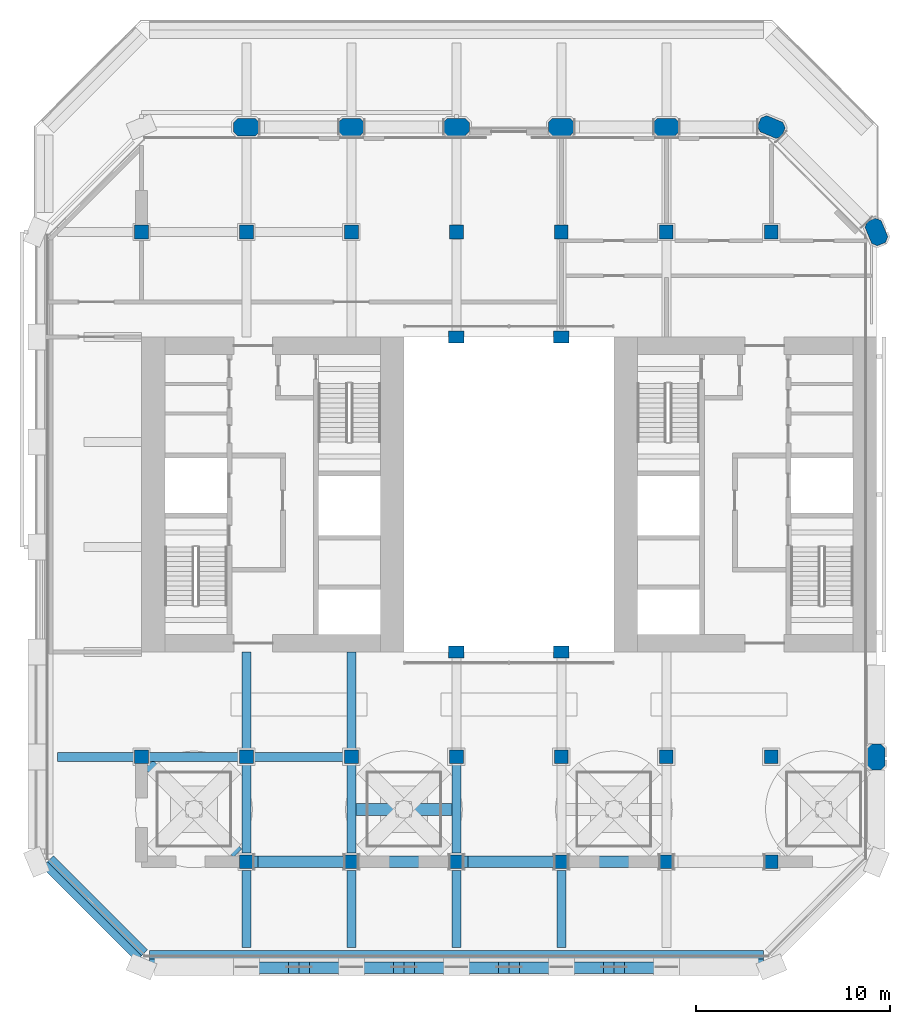
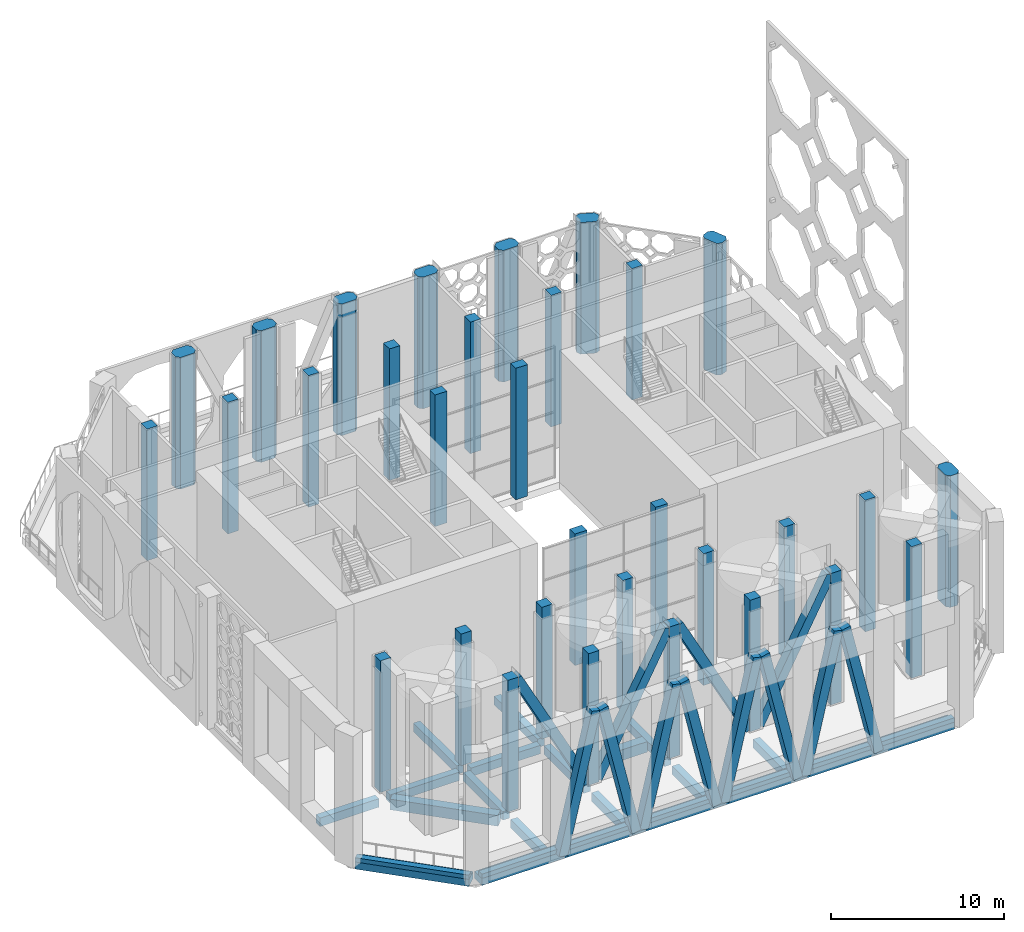
# One storey, part 1 of 28: 32 columns, 18 beams, 12 members.
"""IFC4 building model written with IfcOpenShell, lengths in metres."""

from ifc_helpers import new_model, si_unit, direction, frame, origin, origin_2d, place, context, subcontext, project, spatial, polyline, rectangle, outline, extrude, material, material_profile, profile_set, type_object, element, save


model = new_model("IFC4")

# Units and contexts
model_context = context("Model", 3, precision=1e-05, world=origin(), true_north=direction((0.0, 1.0)))
body_context = subcontext(model_context, "Body", "Model", "MODEL_VIEW")
ifc_project = project(units=[si_unit("LENGTHUNIT", "METRE"), si_unit("AREAUNIT", "SQUARE_METRE"), si_unit("VOLUMEUNIT", "CUBIC_METRE"), si_unit("PLANEANGLEUNIT", "RADIAN"), si_unit("MASSUNIT", "GRAM", prefix="KILO")], contexts=[model_context])

# Site, building, storey
site_placement = place(None, origin())
site = spatial("IfcSite", under=ifc_project, at=site_placement, CompositionType="ELEMENT")
building_placement = place(site_placement, origin())
building = spatial("IfcBuilding", under=site, at=building_placement, Name="Tabaq Tower and Sports Hall", CompositionType="ELEMENT")
storey_placement = place(building_placement, frame((0.0, 0.0, 233.5)))
storey = spatial("IfcBuildingStorey", under=building, at=storey_placement, Name="L59", CompositionType="ELEMENT", Elevation=233.5)

# Columns
ifc_material_1 = material(Name="Concrete C40/50", Category="concrete")
ifc_material_profile_1 = material_profile(ifc_material_1, rectangle(XDim=0.800048828125, YDim=0.60009765625, at=origin_2d()), Name="ATRIUM COLUMN 800x600")
ifc_profile_set_1 = profile_set([ifc_material_profile_1], Name="Concrete C40/50")
column_type_1 = type_object("IfcColumnType", Name="RC COLUMN ATRIUM COLUMN 800x600 C40/50", PredefinedType="COLUMN", material=ifc_profile_set_1)
for number, where, z_axis, x_axis, name in (
    (1, (21.60009765625, 16.199951171875, 0.0), (0.0, 0.0, 1.0), (1.0, 0.0, 0.0), "Atrium Column 5/D L59"),
    (2, (27.0, 16.199951171875, 0.0), (0.0, 0.0, 1.0), (1.0, 0.0, 0.0), "Atrium Column 6/D L59"),
    (3, (21.60009765625, 32.39990234375, 0.0), (0.0, 0.0, 1.0), (1.0, 0.0, 0.0), "Atrium Column 5/G L59"),
    (4, (27.0, 32.39990234375, 0.0), (0.0, 0.0, 1.0), (1.0, 0.0, 0.0), "Atrium Column 6/G L59"),
):
    element("IfcColumn", number, at=place(storey_placement, frame(where, z_axis=z_axis, x_axis=x_axis)), inside=storey, type_object=column_type_1, Name=name, PredefinedType="COLUMN", context=body_context, shape_type="SweptSolid", body=[
        extrude(rectangle(XDim=0.800048828125, YDim=0.60009765625, at=origin_2d()), origin(), (0.0, 0.0, 1.0), 9.300048828125),
    ])
ifc_material_2 = material(Name="Concrete C40/50", Category="concrete")
ifc_material_profile_2 = material_profile(ifc_material_2, rectangle(XDim=0.699951171875, YDim=0.699951171875, at=origin_2d()), Name="COLUMN 700x700")
ifc_profile_set_2 = profile_set([ifc_material_profile_2], Name="Concrete C40/50")
column_type_2 = type_object("IfcColumnType", Name="RC COLUMN COLUMN 700x700 C40/50", PredefinedType="COLUMN", material=ifc_profile_set_2)
for number, where, z_axis, x_axis, name in (
    (5, (10.800048828125, 5.39990234375, 0.0), (0.0, 0.0, 1.0), (1.0, 0.0, 0.0), "Column 3/B L59"),
    (6, (16.199951171875, 5.39990234375, 0.0), (0.0, 0.0, 1.0), (1.0, 0.0, 0.0), "Column 4/B L59"),
    (7, (21.60009765625, 5.39990234375, 0.0), (0.0, 0.0, 1.0), (1.0, 0.0, 0.0), "Column 5/B L59"),
    (8, (27.0, 5.39990234375, 0.0), (0.0, 0.0, 1.0), (1.0, 0.0, 0.0), "Column 6/B L59"),
    (9, (32.39990234375, 5.39990234375, 0.0), (0.0, 0.0, 1.0), (1.0, 0.0, 0.0), "Column 7/B L59"),
    (10, (37.800048828125, 5.39990234375, 0.0), (0.0, 0.0, 1.0), (1.0, 0.0, 0.0), "Column 8/B L59"),
    (11, (5.39990234375, 10.800048828125, 0.0), (0.0, 0.0, 1.0), (1.0, 0.0, 0.0), "Column 2/C L59"),
    (12, (10.800048828125, 10.800048828125, 0.0), (0.0, 0.0, 1.0), (1.0, 0.0, 0.0), "Column 3/C L59"),
    (13, (16.199951171875, 10.800048828125, 0.0), (0.0, 0.0, 1.0), (1.0, 0.0, 0.0), "Column 4/C L59"),
    (14, (21.60009765625, 10.800048828125, 0.0), (0.0, 0.0, 1.0), (1.0, 0.0, 0.0), "Column 5/C L59"),
    (15, (27.0, 10.800048828125, 0.0), (0.0, 0.0, 1.0), (1.0, 0.0, 0.0), "Column 6/C L59"),
    (16, (32.39990234375, 10.800048828125, 0.0), (0.0, 0.0, 1.0), (1.0, 0.0, 0.0), "Column 7/C L59"),
    (17, (37.800048828125, 10.800048828125, 0.0), (0.0, 0.0, 1.0), (1.0, 0.0, 0.0), "Column 8/C L59"),
    (18, (5.39990234375, 37.800048828125, 0.0), (0.0, 0.0, 1.0), (1.0, 0.0, 0.0), "Column 2/H L59"),
    (19, (10.800048828125, 37.800048828125, 0.0), (0.0, 0.0, 1.0), (1.0, 0.0, 0.0), "Column 3/H L59"),
    (20, (16.199951171875, 37.800048828125, 0.0), (0.0, 0.0, 1.0), (1.0, 0.0, 0.0), "Column 4/H L59"),
    (21, (21.60009765625, 37.800048828125, 0.0), (0.0, 0.0, 1.0), (1.0, 0.0, 0.0), "Column 5/H L59"),
    (22, (27.0, 37.800048828125, 0.0), (0.0, 0.0, 1.0), (1.0, 0.0, 0.0), "Column 6/H L59"),
    (23, (32.39990234375, 37.800048828125, 0.0), (0.0, 0.0, 1.0), (1.0, 0.0, 0.0), "Column 7/H L59"),
    (24, (37.800048828125, 37.800048828125, 0.0), (0.0, 0.0, 1.0), (1.0, 0.0, 0.0), "Column 8/H L59"),
):
    element("IfcColumn", number, at=place(storey_placement, frame(where, z_axis=z_axis, x_axis=x_axis)), inside=storey, type_object=column_type_2, Name=name, PredefinedType="COLUMN", context=body_context, shape_type="SweptSolid", body=[
        extrude(rectangle(XDim=0.699951171875, YDim=0.699951171875, at=origin_2d()), origin(), (0.0, 0.0, 1.0), 9.300048828125),
    ])
ifc_material_3 = material(Name="Concrete C40/50", Category="concrete")
ifc_material_profile_3 = material_profile(ifc_material_3, outline(polyline([(-0.449951171875, -0.449951171875), (0.449951171875, -0.449951171875), (0.675048828125, -0.22509765625), (0.675048828125, 0.22509765625), (0.449951171875, 0.449951171875), (-0.449951171875, 0.449951171875), (-0.675048828125, 0.22509765625), (-0.675048828125, -0.22509765625), (-0.449951171875, -0.449951171875)])), Name="PIER 1350x900")
ifc_profile_set_3 = profile_set([ifc_material_profile_3], Name="Concrete C40/50")
column_type_3 = type_object("IfcColumnType", Name="RC COLUMN PIER 1350x900 C40/50", PredefinedType="COLUMN", material=ifc_profile_set_3)
for number, where, z_axis, x_axis, name in (
    (25, (43.199951171875, 10.800048828125, 0.0), (0.0, 0.0, 1.0), (0.0, 1.0, 0.0), "Pier 9/C L59"),
    (26, (43.199951171875, 37.800048828125, 0.0), (0.0, 0.0, 1.0), (-0.382683432365, 0.923879532511, 0.0), "Pier 9/H L59"),
    (27, (10.800048828125, 43.199951171875, 0.0), (0.0, 0.0, 1.0), (1.0, 0.0, 0.0), "Pier 3/I L59"),
    (28, (16.199951171875, 43.199951171875, 0.0), (0.0, 0.0, 1.0), (1.0, 0.0, 0.0), "Pier 4/I L59"),
    (29, (21.60009765625, 43.199951171875, 0.0), (0.0, 0.0, 1.0), (1.0, 0.0, 0.0), "Pier 5/I L59"),
    (30, (27.0, 43.199951171875, 0.0), (0.0, 0.0, 1.0), (1.0, 0.0, 0.0), "Pier 6/I L59"),
    (31, (32.39990234375, 43.199951171875, 0.0), (0.0, 0.0, 1.0), (1.0, 0.0, 0.0), "Pier 7/I L59"),
    (32, (37.800048828125, 43.199951171875, 0.0), (0.0, 0.0, 1.0), (-0.923879532511, 0.382683432365, 0.0), "Pier 8/I L59"),
):
    element("IfcColumn", number, at=place(storey_placement, frame(where, z_axis=z_axis, x_axis=x_axis)), inside=storey, type_object=column_type_3, Name=name, PredefinedType="COLUMN", context=body_context, shape_type="SweptSolid", body=[
        extrude(outline(polyline([(-0.449951171875, -0.449951171875), (0.449951171875, -0.449951171875), (0.675048828125, -0.22509765625), (0.675048828125, 0.22509765625), (0.449951171875, 0.449951171875), (-0.449951171875, 0.449951171875), (-0.675048828125, 0.22509765625), (-0.675048828125, -0.22509765625), (-0.449951171875, -0.449951171875)])), origin(), (0.0, 0.0, 1.0), 9.300048828125),
    ])

# Beams
ifc_material_4 = material(Name="Concrete C40/50", Category="concrete")
ifc_material_profile_4 = material_profile(ifc_material_4, rectangle(XDim=0.449951171875, YDim=0.60009765625, at=origin_2d()), Name="CB 450x600")
ifc_profile_set_4 = profile_set([ifc_material_profile_4], Name="Concrete C40/50")
beam_type_1 = type_object("IfcBeamType", Name="PT CANTILEVER BEAM CB 450x600 C40/50", PredefinedType="BEAM", material=ifc_profile_set_4)
beam_1_placement = place(storey_placement, frame((1.074951171875, 10.800048828125, -0.800048828125), z_axis=(1.0, 0.0, 0.0), x_axis=(0.0, 1.0, 0.0)))
element("IfcBeam", 33, at=beam_1_placement, inside=storey, type_object=beam_type_1, Name="Cantilever Beam L59 W2 span 1", PredefinedType="BEAM", context=body_context, shape_type="SweptSolid", body=[
    extrude(rectangle(XDim=0.449951171875, YDim=0.60009765625, at=origin_2d()), origin(), (0.0, 0.0, 1.0), 3.949951171875),
])
beam_2_placement = place(storey_placement, frame((5.77490234375, 10.800048828125, -0.800048828125), z_axis=(1.0, 0.0, 0.0), x_axis=(0.0, 1.0, 0.0)))
element("IfcBeam", 34, at=beam_2_placement, inside=storey, type_object=beam_type_1, Name="Cantilever Beam L59 W2 span 2", PredefinedType="BEAM", context=body_context, shape_type="SweptSolid", body=[
    extrude(rectangle(XDim=0.449951171875, YDim=0.60009765625, at=origin_2d()), origin(), (0.0, 0.0, 1.0), 4.650146484375),
])
beam_3_placement = place(storey_placement, frame((11.175048828125, 10.800048828125, -0.800048828125), z_axis=(1.0, 0.0, 0.0), x_axis=(0.0, 1.0, 0.0)))
element("IfcBeam", 35, at=beam_3_placement, inside=storey, type_object=beam_type_1, Name="Cantilever Beam L59 W2 span 3", PredefinedType="BEAM", context=body_context, shape_type="SweptSolid", body=[
    extrude(rectangle(XDim=0.449951171875, YDim=0.60009765625, at=origin_2d()), origin(), (0.0, 0.0, 1.0), 4.64990234375),
])
beam_4_placement = place(storey_placement, frame((10.800048828125, 1.0, -0.800048828125), z_axis=(0.0, 1.0, 0.0), x_axis=(-1.0, 0.0, 0.0)))
element("IfcBeam", 36, at=beam_4_placement, inside=storey, type_object=beam_type_1, Name="Cantilever Beam L59 S2 span 1", PredefinedType="BEAM", context=body_context, shape_type="SweptSolid", body=[
    extrude(rectangle(XDim=0.449951171875, YDim=0.60009765625, at=origin_2d()), origin(), (0.0, 0.0, 1.0), 3.949951171875),
])
beam_5_placement = place(storey_placement, frame((10.800048828125, 5.85009765625, -0.800048828125), z_axis=(0.0, 1.0, 0.0), x_axis=(-1.0, 0.0, 0.0)))
element("IfcBeam", 37, at=beam_5_placement, inside=storey, type_object=beam_type_1, Name="Cantilever Beam L59 S2 span 2", PredefinedType="BEAM", context=body_context, shape_type="SweptSolid", body=[
    extrude(rectangle(XDim=0.449951171875, YDim=0.60009765625, at=origin_2d()), origin(), (0.0, 0.0, 1.0), 4.574951171875),
])
beam_6_placement = place(storey_placement, frame((10.800048828125, 11.175048828125, -0.800048828125), z_axis=(0.0, 1.0, 0.0), x_axis=(-1.0, 0.0, 0.0)))
element("IfcBeam", 38, at=beam_6_placement, inside=storey, type_object=beam_type_1, Name="Cantilever Beam L59 S2 span 3", PredefinedType="BEAM", context=body_context, shape_type="SweptSolid", body=[
    extrude(rectangle(XDim=0.449951171875, YDim=0.60009765625, at=origin_2d()), origin(), (0.0, 0.0, 1.0), 5.02490234375),
])
beam_7_placement = place(storey_placement, frame((16.199951171875, 1.0, -0.800048828125), z_axis=(0.0, 1.0, 0.0), x_axis=(-1.0, 0.0, 0.0)))
element("IfcBeam", 39, at=beam_7_placement, inside=storey, type_object=beam_type_1, Name="Cantilever Beam L59 S3 span 1", PredefinedType="BEAM", context=body_context, shape_type="SweptSolid", body=[
    extrude(rectangle(XDim=0.449951171875, YDim=0.60009765625, at=origin_2d()), origin(), (0.0, 0.0, 1.0), 3.949951171875),
])
beam_8_placement = place(storey_placement, frame((16.199951171875, 5.85009765625, -0.800048828125), z_axis=(0.0, 1.0, 0.0), x_axis=(-1.0, 0.0, 0.0)))
element("IfcBeam", 40, at=beam_8_placement, inside=storey, type_object=beam_type_1, Name="Cantilever Beam L59 S3 span 2", PredefinedType="BEAM", context=body_context, shape_type="SweptSolid", body=[
    extrude(rectangle(XDim=0.449951171875, YDim=0.60009765625, at=origin_2d()), origin(), (0.0, 0.0, 1.0), 4.574951171875),
])
beam_9_placement = place(storey_placement, frame((16.199951171875, 11.175048828125, -0.800048828125), z_axis=(0.0, 1.0, 0.0), x_axis=(-1.0, 0.0, 0.0)))
element("IfcBeam", 41, at=beam_9_placement, inside=storey, type_object=beam_type_1, Name="Cantilever Beam L59 S3 span 3", PredefinedType="BEAM", context=body_context, shape_type="SweptSolid", body=[
    extrude(rectangle(XDim=0.449951171875, YDim=0.60009765625, at=origin_2d()), origin(), (0.0, 0.0, 1.0), 5.02490234375),
])
beam_10_placement = place(storey_placement, frame((21.60009765625, 1.0, -0.800048828125), z_axis=(0.0, 1.0, 0.0), x_axis=(-1.0, 0.0, 0.0)))
element("IfcBeam", 42, at=beam_10_placement, inside=storey, type_object=beam_type_1, Name="Cantilever Beam L59 S4 span 1", PredefinedType="BEAM", context=body_context, shape_type="SweptSolid", body=[
    extrude(rectangle(XDim=0.449951171875, YDim=0.60009765625, at=origin_2d()), origin(), (0.0, 0.0, 1.0), 3.949951171875),
])
beam_11_placement = place(storey_placement, frame((21.60009765625, 5.85009765625, -0.800048828125), z_axis=(0.0, 1.0, 0.0), x_axis=(-1.0, 0.0, 0.0)))
element("IfcBeam", 43, at=beam_11_placement, inside=storey, type_object=beam_type_1, Name="Cantilever Beam L59 S4 span 2", PredefinedType="BEAM", context=body_context, shape_type="SweptSolid", body=[
    extrude(rectangle(XDim=0.449951171875, YDim=0.60009765625, at=origin_2d()), origin(), (0.0, 0.0, 1.0), 4.574951171875),
])
beam_12_placement = place(storey_placement, frame((27.0, 1.0, -0.800048828125), z_axis=(0.0, 1.0, 0.0), x_axis=(-1.0, 0.0, 0.0)))
element("IfcBeam", 44, at=beam_12_placement, inside=storey, type_object=beam_type_1, Name="Cantilever Beam L59 S5 span 1", PredefinedType="BEAM", context=body_context, shape_type="SweptSolid", body=[
    extrude(rectangle(XDim=0.449951171875, YDim=0.60009765625, at=origin_2d()), origin(), (0.0, 0.0, 1.0), 3.949951171875),
])
ifc_material_5 = material(Name="Concrete C40/50", Category="concrete")
ifc_material_profile_5 = material_profile(ifc_material_5, rectangle(XDim=0.85009765625, YDim=0.5, at=origin_2d()), Name="EB 850x500")
ifc_profile_set_5 = profile_set([ifc_material_profile_5], Name="Concrete C40/50")
beam_type_2 = type_object("IfcBeamType", Name="PT EDGE BEAM EB 850x500 C40/50", PredefinedType="SPANDREL", material=ifc_profile_set_5)
beam_13_placement = place(storey_placement, frame((0.584716796875, 5.416259765625, -0.25), z_axis=(0.707106781187, -0.707106781187, 0.0), x_axis=(0.707106781187, 0.707106781187, 0.0)))
element("IfcBeam", 45, at=beam_13_placement, inside=storey, type_object=beam_type_2, Name="Edge Beam L59 2", PredefinedType="SPANDREL", context=body_context, shape_type="SweptSolid", body=[
    extrude(rectangle(XDim=0.85009765625, YDim=0.5, at=origin_2d()), origin(), (0.0, 0.0, 1.0), 6.832763671875),
])
beam_14_placement = place(storey_placement, frame((5.802001953125, 0.425048828125, -0.25), z_axis=(1.0, 0.0, 0.0), x_axis=(0.0, 1.0, 0.0)))
element("IfcBeam", 46, at=beam_14_placement, inside=storey, type_object=beam_type_2, Name="Edge Beam L59 3", PredefinedType="SPANDREL", context=body_context, shape_type="SweptSolid", body=[
    extrude(rectangle(XDim=0.85009765625, YDim=0.5, at=origin_2d()), origin(), (0.0, 0.0, 1.0), 31.595947265625),
])
ifc_material_6 = material(Name="Concrete C40/50", Category="concrete")
ifc_material_profile_6 = material_profile(ifc_material_6, rectangle(XDim=0.39990234375, YDim=0.300048828125, at=origin_2d()), Name="EU 400x300")
ifc_profile_set_6 = profile_set([ifc_material_profile_6], Name="Concrete C40/50")
beam_type_3 = type_object("IfcBeamType", Name="PT EDGE UPSTAND EU 400x300 C40/50", PredefinedType="BEAM", material=ifc_profile_set_6)
beam_15_placement = place(storey_placement, frame((0.42578125, 5.257080078125, 0.14990234375), z_axis=(0.707106781187, -0.707106781187, 0.0), x_axis=(0.707106781187, 0.707106781187, 0.0)))
element("IfcBeam", 47, at=beam_15_placement, inside=storey, type_object=beam_type_3, Name="Edge Upstand L59 2", PredefinedType="BEAM", context=body_context, shape_type="SweptSolid", body=[
    extrude(rectangle(XDim=0.39990234375, YDim=0.300048828125, at=origin_2d()), origin(), (0.0, 0.0, 1.0), 6.83251953125),
])
beam_16_placement = place(storey_placement, frame((5.802001953125, 0.199951171875, 0.14990234375), z_axis=(1.0, 0.0, 0.0), x_axis=(0.0, 1.0, 0.0)))
element("IfcBeam", 48, at=beam_16_placement, inside=storey, type_object=beam_type_3, Name="Edge Upstand L59 3", PredefinedType="BEAM", context=body_context, shape_type="SweptSolid", body=[
    extrude(rectangle(XDim=0.39990234375, YDim=0.300048828125, at=origin_2d()), origin(), (0.0, 0.0, 1.0), 31.595947265625),
])
ifc_material_7 = material(Name="Concrete C40/50", Category="concrete")
ifc_material_profile_7 = material_profile(ifc_material_7, rectangle(XDim=0.60009765625, YDim=0.75, at=origin_2d()), Name="TB 600x750")
ifc_profile_set_7 = profile_set([ifc_material_profile_7], Name="Concrete C40/50")
beam_type_4 = type_object("IfcBeamType", Name="PT TRIMMER BEAM TB 600x750 C40/50", PredefinedType="BEAM", material=ifc_profile_set_7)
beam_17_placement = place(storey_placement, frame((5.77490234375, 10.425048828125, -0.875), z_axis=(0.707125647681, -0.707087914189, 0.0), x_axis=(0.707087914189, 0.707125647681, 0.0)))
element("IfcBeam", 49, at=beam_17_placement, inside=storey, type_object=beam_type_4, Name="Turbine Trimmer Beam 1", PredefinedType="BEAM", context=body_context, shape_type="SweptSolid", body=[
    extrude(rectangle(XDim=0.60009765625, YDim=0.75, at=origin_2d()), origin(), (0.0, 0.0, 1.0), 6.47021484375),
])
beam_18_placement = place(storey_placement, frame((16.425048828125, 8.10009765625, -0.875), z_axis=(1.0, 0.0, 0.0), x_axis=(0.0, 1.0, 0.0)))
element("IfcBeam", 50, at=beam_18_placement, inside=storey, type_object=beam_type_4, Name="Turbine Trimmer Beam 2", PredefinedType="BEAM", context=body_context, shape_type="SweptSolid", body=[
    extrude(rectangle(XDim=0.60009765625, YDim=0.75, at=origin_2d()), origin(), (0.0, 0.0, 1.0), 4.949951171875),
])

# Members
ifc_material_8 = material(Name="Concrete C40/50", Category="concrete")
ifc_material_profile_8 = material_profile(ifc_material_8, rectangle(XDim=0.60009765625, YDim=0.60009765625, at=origin_2d()), Name="BELT STRUT 600x600")
ifc_profile_set_8 = profile_set([ifc_material_profile_8], Name="Concrete C40/50")
member_type_1 = type_object("IfcMemberType", Name="RC BELT TRUSS STRUT BELT STRUT 600x600 C40/50", PredefinedType="BRACE", material=ifc_profile_set_8)
for number, where, z_axis, x_axis, name in (
    (51, (15.8798828125, 5.39990234375, 0.14013671875), (-0.466707129809, 0.0, 0.884411926076), (0.0, -1.0, 0.0), "Belt Truss Strut L59 6"),
    (52, (16.52001953125, 5.39990234375, 0.14013671875), (0.466725853903, 0.0, 0.884402045056), (0.0, 1.0, 0.0), "Belt Truss Strut L59 7"),
    (53, (26.679931640625, 5.39990234375, 0.14013671875), (-0.466725853903, 0.0, 0.884402045056), (0.0, -1.0, 0.0), "Belt Truss Strut L59 8"),
    (54, (27.320068359375, 5.39990234375, 0.14013671875), (0.466725853903, 0.0, 0.884402045056), (0.0, 1.0, 0.0), "Belt Truss Strut L59 9"),
):
    element("IfcMember", number, at=place(storey_placement, frame(where, z_axis=z_axis, x_axis=x_axis)), inside=storey, type_object=member_type_1, Name=name, PredefinedType="BRACE", context=body_context, shape_type="SweptSolid", body=[
        extrude(rectangle(XDim=0.60009765625, YDim=0.60009765625, at=origin_2d()), origin(), (0.0, 0.0, 1.0), 10.19873046875),
    ])
ifc_material_9 = material(Name="Concrete C40/50", Category="concrete")
ifc_material_profile_9 = material_profile(ifc_material_9, rectangle(XDim=0.60009765625, YDim=0.60009765625, at=origin_2d()), Name="TRANSFER BAND BRACE 600x600")
ifc_profile_set_9 = profile_set([ifc_material_profile_9], Name="Concrete C40/50")
member_type_2 = type_object("IfcMemberType", Name="RC TRANSFER BAND BRACE 600x600 C40/50", PredefinedType="BRACE", material=ifc_profile_set_9)
for number, where, z_axis, x_axis, name in (
    (55, (11.050048828125, -0.050048828125, -0.050048828125), (0.225603643193, 0.0, 0.974219172557), (0.0, 1.0, 0.0), "Transfer Band Brace L59 South 1"),
    (56, (15.949951171875, -0.050048828125, -0.050048828125), (-0.225603643193, 0.0, 0.974219172557), (0.0, -1.0, 0.0), "Transfer Band Brace L59 South 2"),
    (57, (16.449951171875, -0.050048828125, -0.050048828125), (0.225603643193, 0.0, 0.974219172557), (0.0, 1.0, 0.0), "Transfer Band Brace L59 South 3"),
    (58, (21.35009765625, -0.050048828125, -0.050048828125), (-0.225627405181, 0.0, 0.974213669598), (0.0, -1.0, 0.0), "Transfer Band Brace L59 South 4"),
    (59, (21.85009765625, -0.050048828125, -0.050048828125), (0.225603643193, 0.0, 0.974219172557), (0.0, 1.0, 0.0), "Transfer Band Brace L59 South 5"),
    (60, (26.75, -0.050048828125, -0.050048828125), (-0.225603643193, 0.0, 0.974219172557), (0.0, -1.0, 0.0), "Transfer Band Brace L59 South 6"),
    (61, (27.25, -0.050048828125, -0.050048828125), (0.225603643193, 0.0, 0.974219172557), (0.0, 1.0, 0.0), "Transfer Band Brace L59 South 7"),
    (62, (32.14990234375, -0.050048828125, -0.050048828125), (-0.225603643193, 0.0, 0.974219172557), (0.0, -1.0, 0.0), "Transfer Band Brace L59 South 8"),
):
    element("IfcMember", number, at=place(storey_placement, frame(where, z_axis=z_axis, x_axis=x_axis)), inside=storey, type_object=member_type_2, Name=name, PredefinedType="BRACE", context=body_context, shape_type="SweptSolid", body=[
        extrude(rectangle(XDim=0.60009765625, YDim=0.60009765625, at=origin_2d()), origin(), (0.0, 0.0, 1.0), 9.75146484375),
    ])

save(model, "model.ifc")
